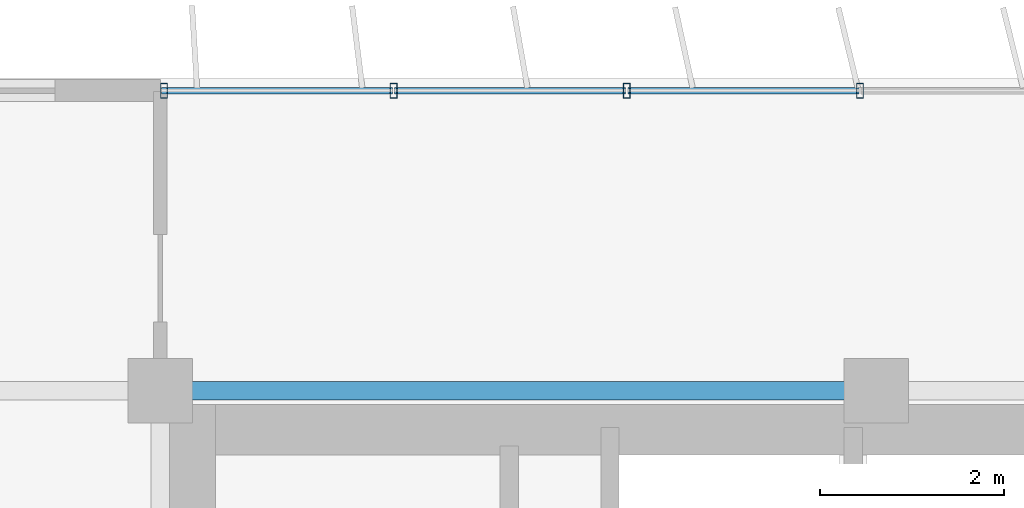
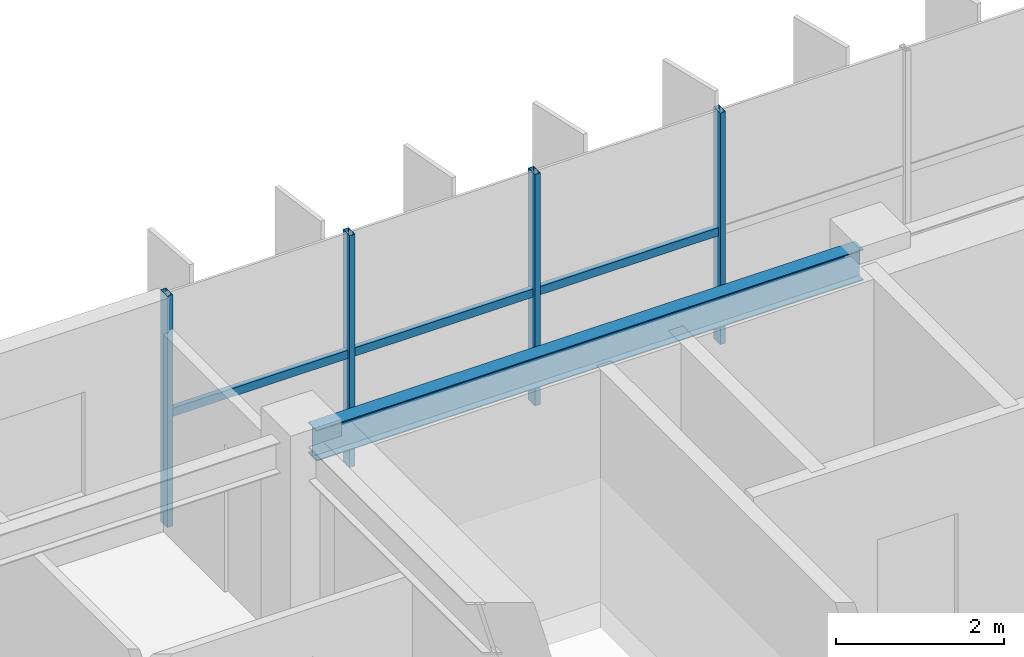
# One storey, part 6 of 23: 7 members, 1 beam, 1 element without a shape of its own.
"""IFC4 building model written with IfcOpenShell, lengths in metres."""

from ifc_helpers import new_model, si_unit, direction, frame, origin, origin_2d, place, context, subcontext, project, spatial, hollow_rectangle, i_section, extrude, source, transform, mapped, material, material_profile, profile_set, type_object, element, aggregate, save


model = new_model("IFC4")

# Units and contexts
model_context = context("Model", 3, precision=1e-05, world=origin(), true_north=direction((0.0, 1.0)))
body_context = subcontext(model_context, "Body", "Model", "MODEL_VIEW")
ifc_project = project(units=[si_unit("LENGTHUNIT", "METRE"), si_unit("AREAUNIT", "SQUARE_METRE"), si_unit("VOLUMEUNIT", "CUBIC_METRE"), si_unit("PLANEANGLEUNIT", "RADIAN"), si_unit("MASSUNIT", "GRAM", prefix="KILO")], contexts=[model_context])

# Site, building, storey
site_placement = place(None, origin())
site = spatial("IfcSite", under=ifc_project, at=site_placement, CompositionType="ELEMENT")
building_placement = place(site_placement, origin())
building = spatial("IfcBuilding", under=site, at=building_placement, Name="Trelvane Seafront Commons", CompositionType="ELEMENT")
storey_placement = place(building_placement, frame((0.0, 0.0, 190.5)))
storey = spatial("IfcBuildingStorey", under=building, at=storey_placement, Name="L49", CompositionType="ELEMENT", Elevation=190.5)

# Beam
ifc_material_1 = material(Name="Steel SM355 (S355)", Category="steel")
ifc_material_profile_1 = material_profile(ifc_material_1, i_section(OverallWidth=0.199951171875, OverallDepth=0.449951171875, WebThickness=0.009033203125, FlangeThickness=0.013916015625, at=origin_2d()), Name="H-450x200x9x14")
ifc_profile_set_1 = profile_set([ifc_material_profile_1], Name="Steel SM355 (S355)")
beam_type = type_object("IfcBeamType", Name="STR-SPD-H450", PredefinedType="SPANDREL", material=ifc_profile_set_1)
shared_shape_1 = source(origin(), body_context, "Body", "SweptSolid", [
    extrude(i_section(OverallWidth=0.199951171875, OverallDepth=0.449951171875, WebThickness=0.009033203125, FlangeThickness=0.013916015625, at=origin_2d()), origin(), (0.0, 0.0, 1.0), 7.5),
])
beam_placement = place(storey_placement, frame((15.75, 45.10009765625, 3.135009765625), z_axis=(1.0, 0.0, 0.0), x_axis=(0.0, 1.0, 0.0)))
element("IfcBeam", 1, at=beam_placement, inside=storey, type_object=beam_type, Name="L49 Primary Girder G-23", PredefinedType="SPANDREL", context=body_context, shape_type="MappedRepresentation", body=[
    mapped(shared_shape_1, transform((0.0, 0.0, 0.0), x_axis=(1.0, 0.0, 0.0), y_axis=(0.0, 1.0, 0.0), z_axis=(0.0, 0.0, 1.0), scale=1.0)),
])

# Curtain wall, members
ifc_material_2 = material(Name="Anodised pale-silver aluminium", Category="aluminium")
curtain_wall_type = type_object("IfcCurtainWallType", Name="ARCH-CW5-UPTOWER", PredefinedType="NOTDEFINED", material=ifc_material_2)
curtain_wall_placement = place(storey_placement, origin())
curtain_wall = element("IfcCurtainWall", 2, at=curtain_wall_placement, inside=storey, type_object=curtain_wall_type, Name="CW-L49-0077", PredefinedType="NOTDEFINED")
ifc_material_profile_2 = material_profile(ifc_material_2, hollow_rectangle(XDim=0.070068359375, YDim=0.1201171875, WallThickness=0.00390625, at=origin_2d()), Name="TRAN-70x120x4")
ifc_profile_set_2 = profile_set([ifc_material_profile_2], Name="Anodised pale-silver aluminium")
member_type_1 = type_object("IfcMemberType", Name="ARCH-CW-TRAN-120", PredefinedType="USERDEFINED", material=ifc_profile_set_2)
shared_shape_2 = source(origin(), body_context, "Body", "SweptSolid", [
    extrude(hollow_rectangle(XDim=0.070068359375, YDim=0.1201171875, WallThickness=0.00390625, at=origin_2d()), origin(), (0.0, 0.0, 1.0), 2.51708984375),
])
member_1_placement = place(storey_placement, frame((15.612060546875, 48.3701171875, 1.613037109375), z_axis=(1.0, 0.0, 0.0), x_axis=(0.0, 1.0, 0.0)))
member_1 = element("IfcMember", 3, at=member_1_placement, type_object=member_type_1, Name="CW-L49-0077-T00", ObjectType="TRANSOM", PredefinedType="USERDEFINED", context=body_context, shape_type="MappedRepresentation", body=[
    mapped(shared_shape_2, transform((0.0, 0.0, 0.0), x_axis=(1.0, 0.0, 0.0), y_axis=(0.0, 1.0, 0.0), z_axis=(0.0, 0.0, 1.0), scale=1.0)),
])
member_2_placement = place(storey_placement, frame((18.1533203125, 48.3701171875, 1.613037109375), z_axis=(1.0, 0.0, 0.0), x_axis=(0.0, 1.0, 0.0)))
member_2 = element("IfcMember", 4, at=member_2_placement, type_object=member_type_1, Name="CW-L49-0077-T01", ObjectType="TRANSOM", PredefinedType="USERDEFINED", context=body_context, shape_type="MappedRepresentation", body=[
    mapped(shared_shape_2, transform((0.0, 0.0, 0.0), x_axis=(1.0, 0.0, 0.0), y_axis=(0.0, 1.0, 0.0), z_axis=(0.0, 0.0, 1.0), scale=1.0)),
])
member_3_placement = place(storey_placement, frame((20.6943359375, 48.3701171875, 1.613037109375), z_axis=(1.0, 0.0, 0.0), x_axis=(0.0, 1.0, 0.0)))
member_3 = element("IfcMember", 5, at=member_3_placement, type_object=member_type_1, Name="CW-L49-0077-T02", ObjectType="TRANSOM", PredefinedType="USERDEFINED", context=body_context, shape_type="MappedRepresentation", body=[
    mapped(shared_shape_2, transform((0.0, 0.0, 0.0), x_axis=(1.0, 0.0, 0.0), y_axis=(0.0, 1.0, 0.0), z_axis=(0.0, 0.0, 1.0), scale=1.0)),
])
ifc_material_profile_3 = material_profile(ifc_material_2, hollow_rectangle(XDim=0.074951171875, YDim=0.159912109375, WallThickness=0.00390625, at=origin_2d()), Name="MULL-75x160x4")
ifc_profile_set_3 = profile_set([ifc_material_profile_3], Name="Anodised pale-silver aluminium")
member_type_2 = type_object("IfcMemberType", Name="ARCH-CW-MULL-160", PredefinedType="MULLION", material=ifc_profile_set_3)
shared_shape_3 = source(origin(), body_context, "Body", "SweptSolid", [
    extrude(hollow_rectangle(XDim=0.074951171875, YDim=0.159912109375, WallThickness=0.00390625, at=origin_2d()), origin(), (0.0, 0.0, 1.0), 3.360107421875),
])
member_4_placement = place(storey_placement, frame((15.639892578125, 48.3701171875, 0.0), z_axis=(0.0, 0.0, 1.0), x_axis=(1.0, 0.0, 0.0)))
member_4 = element("IfcMember", 6, at=member_4_placement, type_object=member_type_2, Name="CW-L49-0077-M00", PredefinedType="MULLION", context=body_context, shape_type="MappedRepresentation", body=[
    mapped(shared_shape_3, transform((0.0, 0.0, 0.0), x_axis=(1.0, 0.0, 0.0), y_axis=(0.0, 1.0, 0.0), z_axis=(0.0, 0.0, 1.0), scale=1.0)),
])
member_5_placement = place(storey_placement, frame((18.14111328125, 48.3701171875, 0.0), z_axis=(0.0, 0.0, 1.0), x_axis=(1.0, 0.0, 0.0)))
member_5 = element("IfcMember", 7, at=member_5_placement, type_object=member_type_2, Name="CW-L49-0077-M01", PredefinedType="MULLION", context=body_context, shape_type="MappedRepresentation", body=[
    mapped(shared_shape_3, transform((0.0, 0.0, 0.0), x_axis=(1.0, 0.0, 0.0), y_axis=(0.0, 1.0, 0.0), z_axis=(0.0, 0.0, 1.0), scale=1.0)),
])
member_6_placement = place(storey_placement, frame((20.682373046875, 48.3701171875, 0.0), z_axis=(0.0, 0.0, 1.0), x_axis=(1.0, 0.0, 0.0)))
member_6 = element("IfcMember", 8, at=member_6_placement, type_object=member_type_2, Name="CW-L49-0077-M02", PredefinedType="MULLION", context=body_context, shape_type="MappedRepresentation", body=[
    mapped(shared_shape_3, transform((0.0, 0.0, 0.0), x_axis=(1.0, 0.0, 0.0), y_axis=(0.0, 1.0, 0.0), z_axis=(0.0, 0.0, 1.0), scale=1.0)),
])
member_7_placement = place(storey_placement, frame((23.223388671875, 48.3701171875, 0.0), z_axis=(0.0, 0.0, 1.0), x_axis=(1.0, 0.0, 0.0)))
member_7 = element("IfcMember", 9, at=member_7_placement, type_object=member_type_2, Name="CW-L49-0077-M03", PredefinedType="MULLION", context=body_context, shape_type="MappedRepresentation", body=[
    mapped(shared_shape_3, transform((0.0, 0.0, 0.0), x_axis=(1.0, 0.0, 0.0), y_axis=(0.0, 1.0, 0.0), z_axis=(0.0, 0.0, 1.0), scale=1.0)),
])
aggregate(curtain_wall, [member_4, member_5, member_6, member_7, member_1, member_2, member_3])

save(model, "model.ifc")
